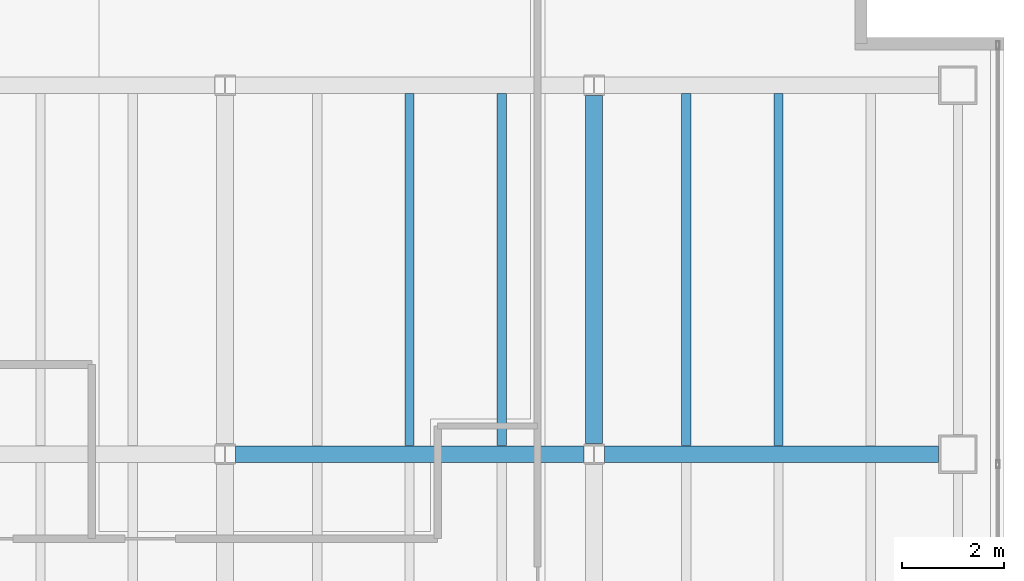
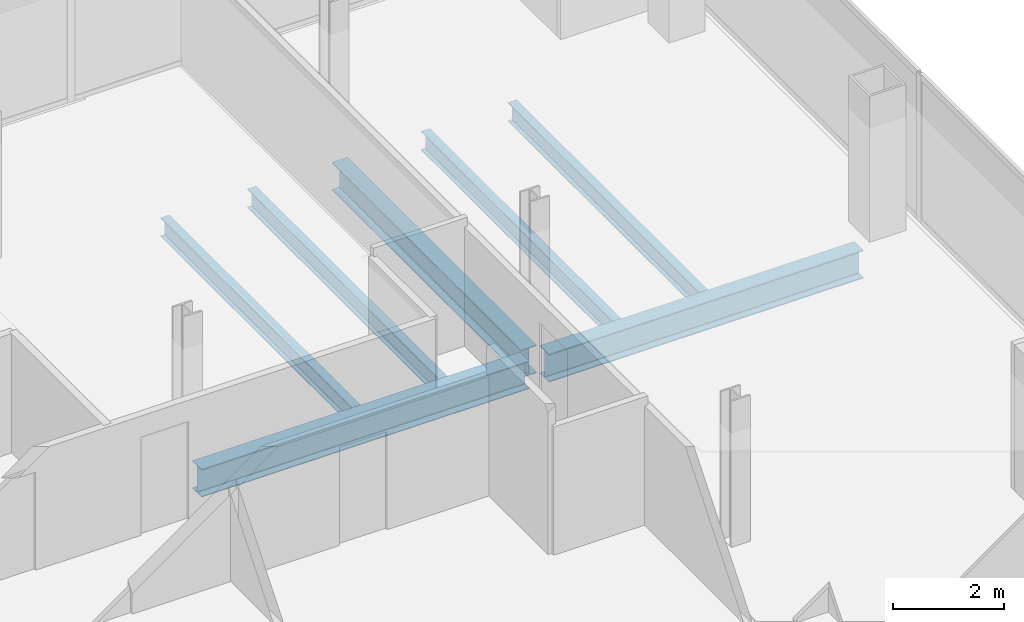
# One storey, part 13 of 23: 7 beams.
"""IFC4 building model written with IfcOpenShell, lengths in metres."""

from ifc_helpers import new_model, si_unit, direction, frame, origin, origin_2d, place, context, subcontext, project, spatial, i_section, extrude, material, material_profile, profile_set, type_object, element, save


model = new_model("IFC4")

# Units and contexts
model_context = context("Model", 3, precision=1e-05, world=origin(), true_north=direction((0.0, 1.0)))
body_context = subcontext(model_context, "Body", "Model", "MODEL_VIEW")
ifc_project = project(units=[si_unit("LENGTHUNIT", "METRE"), si_unit("AREAUNIT", "SQUARE_METRE"), si_unit("VOLUMEUNIT", "CUBIC_METRE"), si_unit("PLANEANGLEUNIT", "RADIAN"), si_unit("MASSUNIT", "GRAM", prefix="KILO")], contexts=[model_context])

# Site, building, storey
site_placement = place(None, origin())
site = spatial("IfcSite", under=ifc_project, at=site_placement, CompositionType="ELEMENT")
building_placement = place(site_placement, origin())
building = spatial("IfcBuilding", under=site, at=building_placement, Name="Cobrela Telecom Tower", CompositionType="ELEMENT")
storey_placement = place(building_placement, frame((0.0, 0.0, 218.75)))
storey = spatial("IfcBuildingStorey", under=building, at=storey_placement, Name="L56", CompositionType="ELEMENT", Elevation=218.75)

# Beams
ifc_material = material(Name="Steel ASTM A992 Grade 50", Category="steel")
ifc_material_profile_1 = material_profile(ifc_material, i_section(OverallWidth=0.324951171875, OverallDepth=0.612060546875, WebThickness=0.0126953125, FlangeThickness=0.01904296875, FilletRadius=0.014892578125, at=origin_2d()), Name="W24X104")
ifc_profile_set_1 = profile_set([ifc_material_profile_1], Name="Steel ASTM A992 Grade 50")
beam_type_1 = type_object("IfcBeamType", Name="BM-GIRD-07", PredefinedType="USERDEFINED", material=ifc_profile_set_1)
beam_1_placement = place(storey_placement, frame((29.00439453125, 14.39990234375, -0.56591796875), z_axis=(1.0, 0.0, 0.0), x_axis=(0.0, 1.0, 0.0)))
element("IfcBeam", 1, at=beam_1_placement, inside=storey, type_object=beam_type_1, Name="L56 Primary Girder X13", ObjectType="GIRDER", PredefinedType="USERDEFINED", context=body_context, shape_type="SweptSolid", body=[
    extrude(i_section(OverallWidth=0.324951171875, OverallDepth=0.612060546875, WebThickness=0.0126953125, FlangeThickness=0.01904296875, FilletRadius=0.014892578125, at=origin_2d()), origin(), (0.0, 0.0, 1.0), 6.791015625),
])
beam_2_placement = place(storey_placement, frame((36.20458984375, 14.39990234375, -0.56591796875), z_axis=(1.0, 0.0, 0.0), x_axis=(0.0, 1.0, 0.0)))
element("IfcBeam", 2, at=beam_2_placement, inside=storey, type_object=beam_type_1, Name="L56 Primary Girder X14", ObjectType="GIRDER", PredefinedType="USERDEFINED", context=body_context, shape_type="SweptSolid", body=[
    extrude(i_section(OverallWidth=0.324951171875, OverallDepth=0.612060546875, WebThickness=0.0126953125, FlangeThickness=0.01904296875, FilletRadius=0.014892578125, at=origin_2d()), origin(), (0.0, 0.0, 1.0), 6.515380859375),
])
beam_3_placement = place(storey_placement, frame((36.0, 14.6044921875, -0.56591796875), z_axis=(0.0, 1.0, 0.0), x_axis=(-1.0, 0.0, 0.0)))
element("IfcBeam", 3, at=beam_3_placement, inside=storey, type_object=beam_type_1, Name="L56 Primary Girder Y41", ObjectType="GIRDER", PredefinedType="USERDEFINED", context=body_context, shape_type="SweptSolid", body=[
    extrude(i_section(OverallWidth=0.324951171875, OverallDepth=0.612060546875, WebThickness=0.0126953125, FlangeThickness=0.01904296875, FilletRadius=0.014892578125, at=origin_2d()), origin(), (0.0, 0.0, 1.0), 6.791015625),
])
ifc_material_profile_2 = material_profile(ifc_material, i_section(OverallWidth=0.179931640625, OverallDepth=0.4169921875, WebThickness=0.010986328125, FlangeThickness=0.01806640625, FilletRadius=0.011962890625, at=origin_2d()), Name="W16X57")
ifc_profile_set_2 = profile_set([ifc_material_profile_2], Name="Steel ASTM A992 Grade 50")
beam_type_2 = type_object("IfcBeamType", Name="BM-JOIST-04", PredefinedType="JOIST", material=ifc_profile_set_2)
for number, where, z_axis, x_axis, name in (
    (4, (32.39990234375, 14.5673828125, -0.468505859375), (0.0, 1.0, 0.0), (-1.0, 0.0, 0.0), "L56 Secondary Composite Floor Beam J22"),
    (5, (34.199951171875, 14.5673828125, -0.468505859375), (0.0, 1.0, 0.0), (-1.0, 0.0, 0.0), "L56 Secondary Composite Floor Beam J24"),
    (6, (37.800048828125, 14.5673828125, -0.468505859375), (0.0, 1.0, 0.0), (-1.0, 0.0, 0.0), "L56 Secondary Composite Floor Beam J26"),
    (7, (39.60009765625, 14.5673828125, -0.468505859375), (0.0, 1.0, 0.0), (-1.0, 0.0, 0.0), "L56 Secondary Composite Floor Beam J28"),
):
    element("IfcBeam", number, at=place(storey_placement, frame(where, z_axis=z_axis, x_axis=x_axis)), inside=storey, type_object=beam_type_2, Name=name, PredefinedType="JOIST", context=body_context, shape_type="SweptSolid", body=[
        extrude(i_section(OverallWidth=0.179931640625, OverallDepth=0.4169921875, WebThickness=0.010986328125, FlangeThickness=0.01806640625, FilletRadius=0.011962890625, at=origin_2d()), origin(), (0.0, 0.0, 1.0), 6.865234375),
    ])

save(model, "model.ifc")
